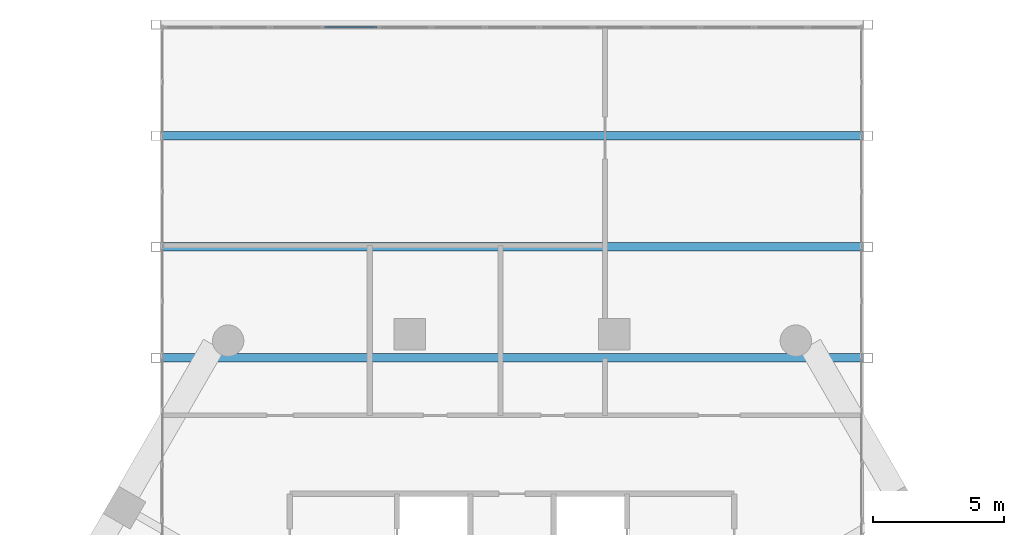
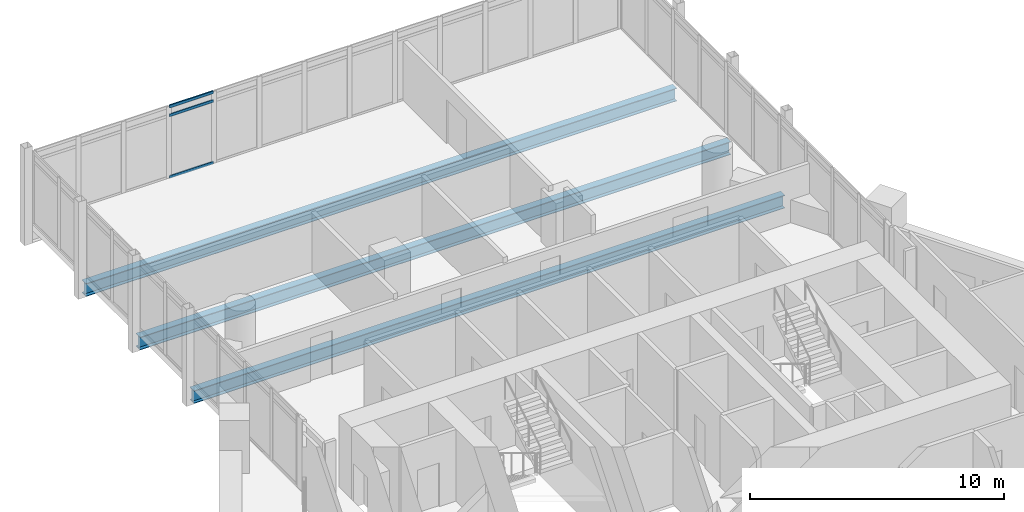
# One storey, part 14 of 28: 3 beams, 3 members, 1 element without a shape of its own.
"""IFC4 building model written with IfcOpenShell, lengths in metres."""

import ifcopenshell
import ifcopenshell.guid

model = None  # the IFC model being written
_history = None  # IfcOwnerHistory: only IFC2X3 demands one
_inside = {}  # id of a spatial element -> (the spatial element, [elements in it])
_under = {}  # id of a project, library or spatial element -> (it, [spatial elements below it])
_declared = {}  # id of a project -> (the project, [libraries it declares])
_typed = {}  # id of a type object -> (the type object, [elements of that type])
_made_of = {}  # id of a material, layer set ... -> (it, [elements and type objects made of it])


def new_model(schema):
    """Start an empty IFC model of exactly this schema.

    Asked for "IFC4X3", IfcOpenShell would pick the latest addendum, in which some entities
    have other attributes; the version numbers below select the first issue.
    IFC2X3 requires an IfcOwnerHistory on every rooted entity: one is made here for all.
    """
    global model, _history
    if schema == "IFC4X3":
        model = ifcopenshell.file(schema_version=(4, 3, 0, 0))
    else:
        model = ifcopenshell.file(schema=schema)
    _inside.clear()
    _under.clear()
    _declared.clear()
    _typed.clear()
    _made_of.clear()
    _history = None
    if model.schema == "IFC2X3":
        org = make("IfcOrganization", Name="unknown")
        user = make(
            "IfcPersonAndOrganization",
            ThePerson=make("IfcPerson", FamilyName="unknown"),
            TheOrganization=org,
        )
        app = make(
            "IfcApplication",
            ApplicationDeveloper=org,
            Version="unknown",
            ApplicationFullName="unknown",
            ApplicationIdentifier="unknown",
        )
        _history = make(
            "IfcOwnerHistory",
            OwningUser=user,
            OwningApplication=app,
            ChangeAction="ADDED",
            CreationDate=0,
        )
    return model


def make(cls, **values):
    """One entity of the class cls with the attributes given. An attribute that is None is left unset."""
    return model.create_entity(
        cls, **{name: value for name, value in values.items() if value is not None}
    )


def rooted(cls, **values):
    """An entity with a GlobalId (a new one), such as an element, a storey or a relation."""
    return make(cls, GlobalId=ifcopenshell.guid.new(), OwnerHistory=_history, **values)


def si_unit(unit_type, name, prefix=None):
    """IfcSIUnit, for example si_unit("LENGTHUNIT", "METRE", prefix="MILLI")."""
    return make("IfcSIUnit", UnitType=unit_type, Prefix=prefix, Name=name)


def assignment(units):
    """IfcUnitAssignment: the units of a project."""
    return None if units is None else make("IfcUnitAssignment", Units=units)


def point(xyz):
    """IfcCartesianPoint."""
    return None if xyz is None else make("IfcCartesianPoint", Coordinates=xyz)


def direction(xyz):
    """IfcDirection."""
    return None if xyz is None else make("IfcDirection", DirectionRatios=xyz)


def frame(location, z_axis=None, x_axis=None):
    """IfcAxis2Placement3D, a coordinate frame: its origin and axes. An axis left out is left unset."""
    return make(
        "IfcAxis2Placement3D",
        Location=point(location),
        Axis=direction(z_axis),
        RefDirection=direction(x_axis),
    )


def frame_2d(location, x_axis=None):
    """IfcAxis2Placement2D, a coordinate frame in the plane: its origin and x axis."""
    return make(
        "IfcAxis2Placement2D", Location=point(location), RefDirection=direction(x_axis)
    )


def origin():
    """The frame at (0, 0, 0) with its axes left unset."""
    return frame((0.0, 0.0, 0.0))


def origin_2d():
    """The frame at (0, 0) in the plane with its x axis left unset."""
    return frame_2d((0.0, 0.0))


def place(relative_to, where):
    """IfcLocalPlacement: puts the frame where relative to a parent placement (None: the world)."""
    return make(
        "IfcLocalPlacement", PlacementRelTo=relative_to, RelativePlacement=where
    )


def context(
    kind, dimensions, precision=None, world=None, true_north=None, identifier=None
):
    """IfcGeometricRepresentationContext, for example the 3D "Model" context."""
    return make(
        "IfcGeometricRepresentationContext",
        ContextIdentifier=identifier,
        ContextType=kind,
        CoordinateSpaceDimension=dimensions,
        Precision=precision,
        WorldCoordinateSystem=world,
        TrueNorth=true_north,
    )


def subcontext(parent, identifier, kind, view, scale=None):
    """IfcGeometricRepresentationSubContext, for example "Body" below "Model"."""
    return make(
        "IfcGeometricRepresentationSubContext",
        ContextIdentifier=identifier,
        ContextType=kind,
        ParentContext=parent,
        TargetScale=scale,
        TargetView=view,
    )


def project(units=None, contexts=None):
    """IfcProject with its units and contexts."""
    return rooted(
        "IfcProject",
        Name="project",
        RepresentationContexts=contexts,
        UnitsInContext=assignment(units),
    )


def spatial(cls, under=None, at=None, **own):
    """A site, building, storey or space (cls), placed at a placement, below another one or the project."""
    s = rooted(cls, ObjectPlacement=at, **own)
    if under is not None:
        _under.setdefault(under.id(), (under, []))[1].append(s)
    return s


def profile(cls, at=None, kind="AREA", **sizes):
    """A parametric profile (cls). Its sizes go by their IFC names, for example OverallWidth=200.0."""
    return make(cls, ProfileType=kind, Position=at, **sizes)


def hollow_rectangle(**sizes):
    """IfcRectangleHollowProfileDef."""
    return profile("IfcRectangleHollowProfileDef", **sizes)


def i_section(**sizes):
    """IfcIShapeProfileDef."""
    return profile("IfcIShapeProfileDef", **sizes)


def extrude(swept, where, along, depth):
    """IfcExtrudedAreaSolid: the profile swept, set in the frame where, extruded along a direction by depth."""
    return make(
        "IfcExtrudedAreaSolid",
        SweptArea=swept,
        Position=where,
        ExtrudedDirection=direction(along),
        Depth=depth,
    )


def shape(context_of_items, identifier, shape_type, items):
    """IfcShapeRepresentation: the items that make up one representation, for example the "Body"."""
    return make(
        "IfcShapeRepresentation",
        ContextOfItems=context_of_items,
        RepresentationIdentifier=identifier,
        RepresentationType=shape_type,
        Items=items,
    )


def material(Name=None, Category=None):
    """IfcMaterial."""
    return make("IfcMaterial", Name=Name, Category=Category)


def material_profile(
    of_material, cross_section, Name=None, Category=None, Priority=None
):
    """IfcMaterialProfile: a cross section and its material."""
    return make(
        "IfcMaterialProfile",
        Name=Name,
        Material=of_material,
        Profile=cross_section,
        Priority=Priority,
        Category=Category,
    )


def profile_set(profiles, Name=None, composite=None):
    """IfcMaterialProfileSet."""
    return make(
        "IfcMaterialProfileSet",
        Name=Name,
        MaterialProfiles=profiles,
        CompositeProfile=composite,
    )


def made_of(thing, what):
    """Note that an element or type object is made of a material, layer set ...; save() writes the relation."""
    if what is not None:
        _made_of.setdefault(what.id(), (what, []))[1].append(thing)
    return thing


def type_object(cls, material=None, **own):
    """A type object (cls), such as IfcWallType, which elements share."""
    return made_of(rooted(cls, **own), material)


def element(
    cls,
    number,
    at=None,
    inside=None,
    cuts=None,
    type_object=None,
    material=None,
    context=None,
    identifier="Body",
    shape_type=None,
    held_by="IfcProductDefinitionShape",
    body=None,
    shapes=None,
    **own,
):
    """One element of the class cls, such as IfcWall. Its Tag is "e" and its number.

    at: its placement. inside: the storey or other place that contains it. cuts: it is an
    opening in that element (IfcRelVoidsElement). A single representation is given by context,
    identifier, shape_type and body (its items); several are given by shapes. held_by: the class
    of the entity that holds the representations. save() writes the other relations.
    """
    e = rooted(cls, Tag="e%d" % number, ObjectPlacement=at, **own)
    if body is not None:
        shapes = [shape(context, identifier, shape_type, body)]
    if shapes is not None:
        e.Representation = make(held_by, Representations=shapes)
    if inside is not None:
        _inside.setdefault(inside.id(), (inside, []))[1].append(e)
    if cuts is not None:
        rooted(
            "IfcRelVoidsElement", RelatingBuildingElement=cuts, RelatedOpeningElement=e
        )
    if type_object is not None:
        _typed.setdefault(type_object.id(), (type_object, []))[1].append(e)
    return made_of(e, material)


def aggregate(whole, parts):
    """IfcRelAggregates: a whole, such as a stair, and the parts it consists of."""
    return rooted("IfcRelAggregates", RelatingObject=whole, RelatedObjects=parts)


def save(model, path):
    """Write the relations noted so far, then the file.

    IfcRelAggregates (storeys below a building ...), IfcRelContainedInSpatialStructure (elements
    in a storey), IfcRelDefinesByType, IfcRelAssociatesMaterial and IfcRelDeclares: one each for
    every whole, place, type object, material and project.
    """
    for whole, parts in _under.values():
        aggregate(whole, parts)
    for where, things in _inside.values():
        rooted(
            "IfcRelContainedInSpatialStructure",
            RelatedElements=things,
            RelatingStructure=where,
        )
    for kind, things in _typed.values():
        rooted("IfcRelDefinesByType", RelatedObjects=things, RelatingType=kind)
    for what, things in _made_of.values():
        rooted("IfcRelAssociatesMaterial", RelatedObjects=things, RelatingMaterial=what)
    for by, libraries in _declared.values():
        rooted("IfcRelDeclares", RelatingContext=by, RelatedDefinitions=libraries)
    model.write(path)


model = new_model("IFC4")

# Units and contexts
model_context = context("Model", 3, precision=1e-05, world=origin(), true_north=direction((0.0, 1.0)))
body_context = subcontext(model_context, "Body", "Model", "MODEL_VIEW")
ifc_project = project(units=[si_unit("LENGTHUNIT", "METRE"), si_unit("AREAUNIT", "SQUARE_METRE"), si_unit("VOLUMEUNIT", "CUBIC_METRE"), si_unit("PLANEANGLEUNIT", "RADIAN"), si_unit("MASSUNIT", "GRAM", prefix="KILO")], contexts=[model_context])

# Site, building, storey
site_placement = place(None, origin())
site = spatial("IfcSite", under=ifc_project, at=site_placement, CompositionType="ELEMENT")
building_placement = place(site_placement, origin())
building = spatial("IfcBuilding", under=site, at=building_placement, Name="Ostrander Bayou Hotel Tower", CompositionType="ELEMENT")
storey_placement = place(building_placement, frame((0.0, 0.0, 104.25)))
storey = spatial("IfcBuildingStorey", under=building, at=storey_placement, Name="L26", CompositionType="ELEMENT", Elevation=104.25)

# Curtain wall, members
ifc_material_1 = material(Name="Aluminium and clear glass", Category="aluminium")
curtain_wall_type = type_object("IfcCurtainWallType", Name="CW-BAR glazed wall", PredefinedType="NOTDEFINED", material=ifc_material_1)
curtain_wall_placement = place(storey_placement, origin())
curtain_wall = element("IfcCurtainWall", 1, at=curtain_wall_placement, inside=storey, type_object=curtain_wall_type, Name="CW-BAR L26:SB2N:T", PredefinedType="NOTDEFINED")
ifc_material_2 = material(Name="Aluminium", Category="aluminium")
ifc_material_profile_1 = material_profile(ifc_material_2, hollow_rectangle(XDim=0.06005859375, YDim=0.1298828125, WallThickness=0.00390625, at=origin_2d()))
ifc_profile_set_1 = profile_set([ifc_material_profile_1], Name="Aluminium")
member_type = type_object("IfcMemberType", Name="CW-BR transom 60 x 130 mm", PredefinedType="USERDEFINED", material=ifc_profile_set_1)
member_1_placement = place(storey_placement, frame((-7.167724609375, 31.4453125, 0.030029296875), z_axis=(1.0, 0.0, 0.0), x_axis=(0.0, 1.0, 0.0)))
member_1 = element("IfcMember", 2, at=member_1_placement, type_object=member_type, Name="CW-BAR transom 4.1", ObjectType="TRANSOM", PredefinedType="USERDEFINED", context=body_context, shape_type="SweptSolid", body=[
    extrude(hollow_rectangle(XDim=0.06005859375, YDim=0.1298828125, WallThickness=0.00390625, at=origin_2d()), origin(), (0.0, 0.0, 1.0), 1.99658203125),
])
member_2_placement = place(storey_placement, frame((-7.167724609375, 31.4453125, 3.0), z_axis=(1.0, 0.0, 0.0), x_axis=(0.0, 1.0, 0.0)))
member_2 = element("IfcMember", 3, at=member_2_placement, type_object=member_type, Name="CW-BAR transom 4.2", ObjectType="TRANSOM", PredefinedType="USERDEFINED", context=body_context, shape_type="SweptSolid", body=[
    extrude(hollow_rectangle(XDim=0.06005859375, YDim=0.1298828125, WallThickness=0.00390625, at=origin_2d()), origin(), (0.0, 0.0, 1.0), 1.99658203125),
])
member_3_placement = place(storey_placement, frame((-7.167724609375, 31.4453125, 3.419921875), z_axis=(1.0, 0.0, 0.0), x_axis=(0.0, 1.0, 0.0)))
member_3 = element("IfcMember", 4, at=member_3_placement, type_object=member_type, Name="CW-BAR transom 4.3", ObjectType="TRANSOM", PredefinedType="USERDEFINED", context=body_context, shape_type="SweptSolid", body=[
    extrude(hollow_rectangle(XDim=0.06005859375, YDim=0.1298828125, WallThickness=0.00390625, at=origin_2d()), origin(), (0.0, 0.0, 1.0), 1.99658203125),
])
aggregate(curtain_wall, [member_1, member_2, member_3])

# Beams
ifc_material_3 = material(Name="Steel ASTM A992", Category="steel")
ifc_material_profile_2 = material_profile(ifc_material_3, i_section(OverallWidth=0.32763671875, OverallDepth=0.621826171875, WebThickness=0.015380859375, FlangeThickness=0.0244140625, at=origin_2d()))
ifc_profile_set_2 = profile_set([ifc_material_profile_2], Name="Steel ASTM A992")
beam_type = type_object("IfcBeamType", Name="TF1 bar floor beam W24x131", PredefinedType="BEAM", material=ifc_profile_set_2)
for number, where, z_axis, x_axis, name in (
    (5, (-13.442138671875, 27.295654296875, -0.61083984375), (1.0, 0.0, 0.0), (0.0, 1.0, 0.0), "TF1 SB2W L4-2"),
    (6, (-13.442138671875, 23.0458984375, -0.61083984375), (1.0, 0.0, 0.0), (0.0, 1.0, 0.0), "TF1 SB2W L4-3"),
    (7, (-13.442138671875, 18.79638671875, -0.61083984375), (1.0, 0.0, 0.0), (0.0, 1.0, 0.0), "TF1 SB2W L4-4"),
):
    element("IfcBeam", number, at=place(storey_placement, frame(where, z_axis=z_axis, x_axis=x_axis)), inside=storey, type_object=beam_type, Name=name, PredefinedType="BEAM", context=body_context, shape_type="SweptSolid", body=[
        extrude(i_section(OverallWidth=0.32763671875, OverallDepth=0.621826171875, WebThickness=0.015380859375, FlangeThickness=0.0244140625, at=origin_2d()), origin(), (0.0, 0.0, 1.0), 26.88427734375),
    ])

save(model, "model.ifc")
